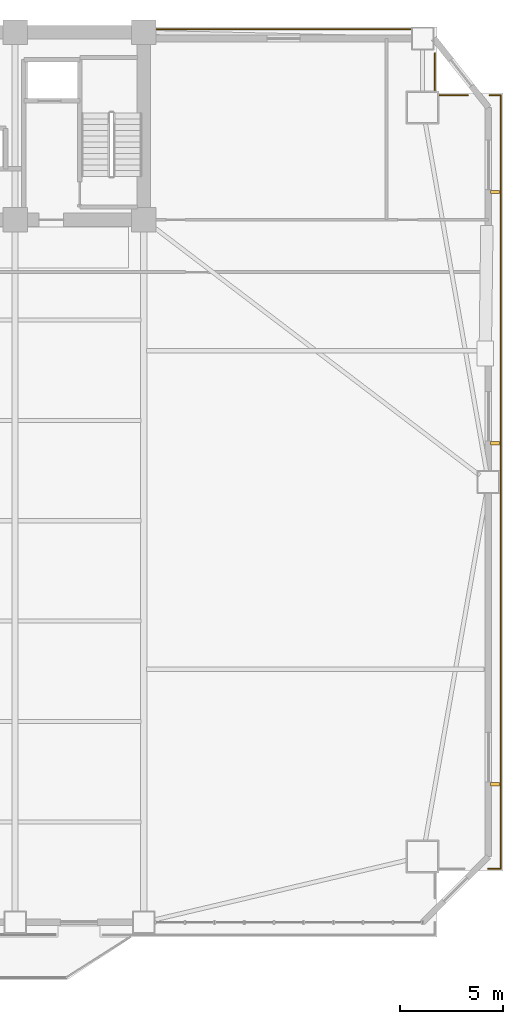
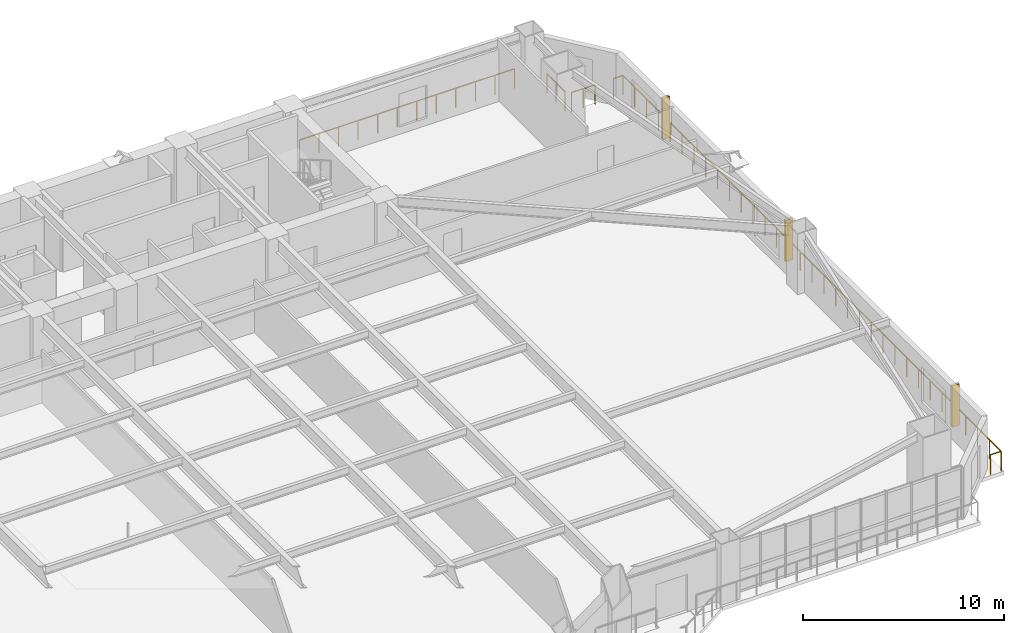
# One storey, part 17 of 17: 6 railings, 3 shading devices.
"""IFC4 building model written with IfcOpenShell, lengths in metres."""

from ifc_helpers import new_model, si_unit, direction, frame, origin, origin_2d, place, context, subcontext, project, spatial, rectangle, extrude, source, transform, mapped, material, type_object, element, save


model = new_model("IFC4")

# Units and contexts
model_context = context("Model", 3, precision=1e-05, world=origin(), true_north=direction((0.0, 1.0)))
body_context = subcontext(model_context, "Body", "Model", "MODEL_VIEW")
ifc_project = project(units=[si_unit("LENGTHUNIT", "METRE"), si_unit("AREAUNIT", "SQUARE_METRE"), si_unit("VOLUMEUNIT", "CUBIC_METRE"), si_unit("PLANEANGLEUNIT", "RADIAN"), si_unit("MASSUNIT", "GRAM", prefix="KILO")], contexts=[model_context])

# Site, building, storey
site_placement = place(None, origin())
site = spatial("IfcSite", under=ifc_project, at=site_placement, CompositionType="ELEMENT")
building_placement = place(site_placement, origin())
building = spatial("IfcBuilding", under=site, at=building_placement, Name="Giltprow Tower", CompositionType="ELEMENT")
storey_placement = place(building_placement, frame((0.0, 0.0, 29.300048828125)))
storey = spatial("IfcBuildingStorey", under=building, at=storey_placement, Name="L07", CompositionType="ELEMENT", Elevation=29.300048828125)

# Railings
ifc_material = material(Name="Anodized bronze", Category="metal")
railing_type = type_object("IfcRailingType", Name="RAIL-BALC-GUARD-1200", PredefinedType="BALUSTRADE", material=ifc_material)
railing_1_placement = place(storey_placement, frame((51.18505859375, 46.699951171875, 0.0)))
element("IfcRailing", 1, at=railing_1_placement, inside=storey, type_object=railing_type, Name="L07 Corner Apron Edge Balustrade 10", PredefinedType="BALUSTRADE", context=body_context, shape_type="SweptSolid", body=[
    extrude(rectangle(XDim=0.048095703125, YDim=0.048095703125, at=origin_2d()), frame((0.0, 0.0, 1.17578125), z_axis=(1.0, 0.0, 0.0), x_axis=(0.0, 1.0, 0.0)), (0.0, 0.0, 1.0), 12.329833984375),
    extrude(rectangle(XDim=0.0419921875, YDim=0.0419921875, at=origin_2d()), origin(), (0.0, 0.0, 1.0), 1.15185546875),
    extrude(rectangle(XDim=0.0419921875, YDim=0.0419921875, at=origin_2d()), frame((1.120849609375, 0.0, 0.0)), (0.0, 0.0, 1.0), 1.15185546875),
    extrude(rectangle(XDim=0.0419921875, YDim=0.0419921875, at=origin_2d()), frame((2.24169921875, 0.0, 0.0)), (0.0, 0.0, 1.0), 1.15185546875),
    extrude(rectangle(XDim=0.0419921875, YDim=0.0419921875, at=origin_2d()), frame((3.36279296875, 0.0, 0.0)), (0.0, 0.0, 1.0), 1.15185546875),
    extrude(rectangle(XDim=0.0419921875, YDim=0.0419921875, at=origin_2d()), frame((4.483642578125, 0.0, 0.0)), (0.0, 0.0, 1.0), 1.15185546875),
    extrude(rectangle(XDim=0.0419921875, YDim=0.0419921875, at=origin_2d()), frame((5.6044921875, 0.0, 0.0)), (0.0, 0.0, 1.0), 1.15185546875),
    extrude(rectangle(XDim=0.0419921875, YDim=0.0419921875, at=origin_2d()), frame((6.725341796875, 0.0, 0.0)), (0.0, 0.0, 1.0), 1.15185546875),
    extrude(rectangle(XDim=0.0419921875, YDim=0.0419921875, at=origin_2d()), frame((7.84619140625, 0.0, 0.0)), (0.0, 0.0, 1.0), 1.15185546875),
    extrude(rectangle(XDim=0.0419921875, YDim=0.0419921875, at=origin_2d()), frame((8.967041015625, 0.0, 0.0)), (0.0, 0.0, 1.0), 1.15185546875),
    extrude(rectangle(XDim=0.0419921875, YDim=0.0419921875, at=origin_2d()), frame((10.088134765625, 0.0, 0.0)), (0.0, 0.0, 1.0), 1.15185546875),
    extrude(rectangle(XDim=0.0419921875, YDim=0.0419921875, at=origin_2d()), frame((11.208984375, 0.0, 0.0)), (0.0, 0.0, 1.0), 1.15185546875),
    extrude(rectangle(XDim=0.0419921875, YDim=0.0419921875, at=origin_2d()), frame((12.329833984375, 0.0, 0.0)), (0.0, 0.0, 1.0), 1.15185546875),
])
railing_2_placement = place(storey_placement, frame((64.699951171875, 45.52587890625, 0.0)))
element("IfcRailing", 2, at=railing_2_placement, inside=storey, type_object=railing_type, Name="L07 Corner Apron Edge Balustrade 11", PredefinedType="BALUSTRADE", context=body_context, shape_type="SweptSolid", body=[
    extrude(rectangle(XDim=0.048095703125, YDim=0.048095703125, at=origin_2d()), frame((0.0, 0.0, 1.17578125), z_axis=(0.0, -1.0, 0.0), x_axis=(1.0, 0.0, 0.0)), (0.0, 0.0, 1.0), 1.790771484375),
    extrude(rectangle(XDim=0.0419921875, YDim=0.0419921875, at=origin_2d()), origin(), (0.0, 0.0, 1.0), 1.15185546875),
    extrude(rectangle(XDim=0.0419921875, YDim=0.0419921875, at=origin_2d()), frame((0.0, -0.8955078125, 0.0)), (0.0, 0.0, 1.0), 1.15185546875),
    extrude(rectangle(XDim=0.0419921875, YDim=0.0419921875, at=origin_2d()), frame((0.0, -1.790771484375, 0.0)), (0.0, 0.0, 1.0), 1.15185546875),
])
railing_3_placement = place(storey_placement, frame((64.93505859375, 43.5, 0.0)))
element("IfcRailing", 3, at=railing_3_placement, inside=storey, type_object=railing_type, Name="L07 Corner Apron Edge Balustrade 12", PredefinedType="BALUSTRADE", context=body_context, shape_type="SweptSolid", body=[
    extrude(rectangle(XDim=0.048095703125, YDim=0.048095703125, at=origin_2d()), frame((0.0, 0.0, 1.17578125), z_axis=(1.0, 0.0, 0.0), x_axis=(0.0, 1.0, 0.0)), (0.0, 0.0, 1.0), 1.367919921875),
    extrude(rectangle(XDim=0.0419921875, YDim=0.0419921875, at=origin_2d()), origin(), (0.0, 0.0, 1.0), 1.15185546875),
    extrude(rectangle(XDim=0.0419921875, YDim=0.0419921875, at=origin_2d()), frame((0.68408203125, 0.0, 0.0)), (0.0, 0.0, 1.0), 1.15185546875),
    extrude(rectangle(XDim=0.0419921875, YDim=0.0419921875, at=origin_2d()), frame((1.367919921875, 0.0, 0.0)), (0.0, 0.0, 1.0), 1.15185546875),
])
railing_4_placement = place(storey_placement, frame((67.347900390625, 43.5, 0.0)))
element("IfcRailing", 4, at=railing_4_placement, inside=storey, type_object=railing_type, Name="L07 Corner Apron Edge Balustrade 13", PredefinedType="BALUSTRADE", context=body_context, shape_type="SweptSolid", body=[
    extrude(rectangle(XDim=0.048095703125, YDim=0.048095703125, at=origin_2d()), frame((0.0, 0.0, 1.17578125), z_axis=(1.0, 0.0, 0.0), x_axis=(0.0, 1.0, 0.0)), (0.0, 0.0, 1.0), 0.552001953125),
    extrude(rectangle(XDim=0.0419921875, YDim=0.0419921875, at=origin_2d()), origin(), (0.0, 0.0, 1.0), 1.15185546875),
    extrude(rectangle(XDim=0.0419921875, YDim=0.0419921875, at=origin_2d()), frame((0.552001953125, 0.0, 0.0)), (0.0, 0.0, 1.0), 1.15185546875),
])
railing_5_placement = place(storey_placement, frame((67.89990234375, 43.5, 0.0)))
element("IfcRailing", 5, at=railing_5_placement, inside=storey, type_object=railing_type, Name="L07 Corner Apron Edge Balustrade 14", PredefinedType="BALUSTRADE", context=body_context, shape_type="SweptSolid", body=[
    extrude(rectangle(XDim=0.048095703125, YDim=0.048095703125, at=origin_2d()), frame((0.0, 0.0, 1.17578125), z_axis=(0.0, -1.0, 0.0), x_axis=(1.0, 0.0, 0.0)), (0.0, 0.0, 1.0), 37.60009765625),
    extrude(rectangle(XDim=0.0419921875, YDim=0.0419921875, at=origin_2d()), origin(), (0.0, 0.0, 1.0), 1.15185546875),
    extrude(rectangle(XDim=0.0419921875, YDim=0.0419921875, at=origin_2d()), frame((0.0, -1.175048828125, 0.0)), (0.0, 0.0, 1.0), 1.15185546875),
    extrude(rectangle(XDim=0.0419921875, YDim=0.0419921875, at=origin_2d()), frame((0.0, -2.35009765625, 0.0)), (0.0, 0.0, 1.0), 1.15185546875),
    extrude(rectangle(XDim=0.0419921875, YDim=0.0419921875, at=origin_2d()), frame((0.0, -3.52490234375, 0.0)), (0.0, 0.0, 1.0), 1.15185546875),
    extrude(rectangle(XDim=0.0419921875, YDim=0.0419921875, at=origin_2d()), frame((0.0, -4.699951171875, 0.0)), (0.0, 0.0, 1.0), 1.15185546875),
    extrude(rectangle(XDim=0.0419921875, YDim=0.0419921875, at=origin_2d()), frame((0.0, -5.875, 0.0)), (0.0, 0.0, 1.0), 1.15185546875),
    extrude(rectangle(XDim=0.0419921875, YDim=0.0419921875, at=origin_2d()), frame((0.0, -7.050048828125, 0.0)), (0.0, 0.0, 1.0), 1.15185546875),
    extrude(rectangle(XDim=0.0419921875, YDim=0.0419921875, at=origin_2d()), frame((0.0, -8.22509765625, 0.0)), (0.0, 0.0, 1.0), 1.15185546875),
    extrude(rectangle(XDim=0.0419921875, YDim=0.0419921875, at=origin_2d()), frame((0.0, -9.39990234375, 0.0)), (0.0, 0.0, 1.0), 1.15185546875),
    extrude(rectangle(XDim=0.0419921875, YDim=0.0419921875, at=origin_2d()), frame((0.0, -10.574951171875, 0.0)), (0.0, 0.0, 1.0), 1.15185546875),
    extrude(rectangle(XDim=0.0419921875, YDim=0.0419921875, at=origin_2d()), frame((0.0, -11.75, 0.0)), (0.0, 0.0, 1.0), 1.15185546875),
    extrude(rectangle(XDim=0.0419921875, YDim=0.0419921875, at=origin_2d()), frame((0.0, -12.925048828125, 0.0)), (0.0, 0.0, 1.0), 1.15185546875),
    extrude(rectangle(XDim=0.0419921875, YDim=0.0419921875, at=origin_2d()), frame((0.0, -14.10009765625, 0.0)), (0.0, 0.0, 1.0), 1.15185546875),
    extrude(rectangle(XDim=0.0419921875, YDim=0.0419921875, at=origin_2d()), frame((0.0, -15.275146484375, 0.0)), (0.0, 0.0, 1.0), 1.15185546875),
    extrude(rectangle(XDim=0.0419921875, YDim=0.0419921875, at=origin_2d()), frame((0.0, -16.449951171875, 0.0)), (0.0, 0.0, 1.0), 1.15185546875),
    extrude(rectangle(XDim=0.0419921875, YDim=0.0419921875, at=origin_2d()), frame((0.0, -17.625, 0.0)), (0.0, 0.0, 1.0), 1.15185546875),
    extrude(rectangle(XDim=0.0419921875, YDim=0.0419921875, at=origin_2d()), frame((0.0, -18.800048828125, 0.0)), (0.0, 0.0, 1.0), 1.15185546875),
    extrude(rectangle(XDim=0.0419921875, YDim=0.0419921875, at=origin_2d()), frame((0.0, -19.97509765625, 0.0)), (0.0, 0.0, 1.0), 1.15185546875),
    extrude(rectangle(XDim=0.0419921875, YDim=0.0419921875, at=origin_2d()), frame((0.0, -21.150146484375, 0.0)), (0.0, 0.0, 1.0), 1.15185546875),
    extrude(rectangle(XDim=0.0419921875, YDim=0.0419921875, at=origin_2d()), frame((0.0, -22.324951171875, 0.0)), (0.0, 0.0, 1.0), 1.15185546875),
    extrude(rectangle(XDim=0.0419921875, YDim=0.0419921875, at=origin_2d()), frame((0.0, -23.5, 0.0)), (0.0, 0.0, 1.0), 1.15185546875),
    extrude(rectangle(XDim=0.0419921875, YDim=0.0419921875, at=origin_2d()), frame((0.0, -24.675048828125, 0.0)), (0.0, 0.0, 1.0), 1.15185546875),
    extrude(rectangle(XDim=0.0419921875, YDim=0.0419921875, at=origin_2d()), frame((0.0, -25.85009765625, 0.0)), (0.0, 0.0, 1.0), 1.15185546875),
    extrude(rectangle(XDim=0.0419921875, YDim=0.0419921875, at=origin_2d()), frame((0.0, -27.025146484375, 0.0)), (0.0, 0.0, 1.0), 1.15185546875),
    extrude(rectangle(XDim=0.0419921875, YDim=0.0419921875, at=origin_2d()), frame((0.0, -28.2001953125, 0.0)), (0.0, 0.0, 1.0), 1.15185546875),
    extrude(rectangle(XDim=0.0419921875, YDim=0.0419921875, at=origin_2d()), frame((0.0, -29.375, 0.0)), (0.0, 0.0, 1.0), 1.15185546875),
    extrude(rectangle(XDim=0.0419921875, YDim=0.0419921875, at=origin_2d()), frame((0.0, -30.550048828125, 0.0)), (0.0, 0.0, 1.0), 1.15185546875),
    extrude(rectangle(XDim=0.0419921875, YDim=0.0419921875, at=origin_2d()), frame((0.0, -31.72509765625, 0.0)), (0.0, 0.0, 1.0), 1.15185546875),
    extrude(rectangle(XDim=0.0419921875, YDim=0.0419921875, at=origin_2d()), frame((0.0, -32.900146484375, 0.0)), (0.0, 0.0, 1.0), 1.15185546875),
    extrude(rectangle(XDim=0.0419921875, YDim=0.0419921875, at=origin_2d()), frame((0.0, -34.0751953125, 0.0)), (0.0, 0.0, 1.0), 1.15185546875),
    extrude(rectangle(XDim=0.0419921875, YDim=0.0419921875, at=origin_2d()), frame((0.0, -35.25, 0.0)), (0.0, 0.0, 1.0), 1.15185546875),
    extrude(rectangle(XDim=0.0419921875, YDim=0.0419921875, at=origin_2d()), frame((0.0, -36.425048828125, 0.0)), (0.0, 0.0, 1.0), 1.15185546875),
    extrude(rectangle(XDim=0.0419921875, YDim=0.0419921875, at=origin_2d()), frame((0.0, -37.60009765625, 0.0)), (0.0, 0.0, 1.0), 1.15185546875),
])
railing_6_placement = place(storey_placement, frame((67.89990234375, 5.89990234375, 0.0)))
element("IfcRailing", 6, at=railing_6_placement, inside=storey, type_object=railing_type, Name="L07 Corner Apron Edge Balustrade 15", PredefinedType="BALUSTRADE", context=body_context, shape_type="SweptSolid", body=[
    extrude(rectangle(XDim=0.048095703125, YDim=0.048095703125, at=origin_2d()), frame((0.0, 0.0, 1.17578125), z_axis=(-1.0, 0.0, 0.0), x_axis=(0.0, -1.0, 0.0)), (0.0, 0.0, 1.0), 0.619873046875),
    extrude(rectangle(XDim=0.0419921875, YDim=0.0419921875, at=origin_2d()), origin(), (0.0, 0.0, 1.0), 1.15185546875),
    extrude(rectangle(XDim=0.0419921875, YDim=0.0419921875, at=origin_2d()), frame((-0.619873046875, 0.0, 0.0)), (0.0, 0.0, 1.0), 1.15185546875),
])

# Shading devices
shading_device_type = type_object("IfcShadingDeviceType", Name="SHD-FIN-420", PredefinedType="USERDEFINED", material=ifc_material)
shared_shape = source(origin(), body_context, "Body", "SweptSolid", [
    extrude(rectangle(XDim=0.419921875, YDim=0.159912109375, at=origin_2d()), origin(), (0.0, 0.0, 1.0), 2.5),
])
for number, where, z_axis, x_axis, name in (
    (7, (67.6201171875, 10.009033203125, 0.349853515625), (0.0, 0.0, 1.0), (1.0, 0.0, 0.0), "L07 E Bronze Vertical Fin 1-1"),
    (8, (67.6201171875, 26.575927734375, 0.349853515625), (0.0, 0.0, 1.0), (1.0, 0.0, 0.0), "L07 E Bronze Vertical Fin 2-1"),
    (9, (67.6201171875, 38.791015625, 0.349853515625), (0.0, 0.0, 1.0), (1.0, 0.0, 0.0), "L07 E Bronze Vertical Fin 2-2"),
):
    element("IfcShadingDevice", number, at=place(storey_placement, frame(where, z_axis=z_axis, x_axis=x_axis)), inside=storey, type_object=shading_device_type, Name=name, ObjectType="FIN", PredefinedType="USERDEFINED", context=body_context, shape_type="MappedRepresentation", body=[
        mapped(shared_shape, transform((0.0, 0.0, 0.0), x_axis=(1.0, 0.0, 0.0), y_axis=(0.0, 1.0, 0.0), z_axis=(0.0, 0.0, 1.0), scale=1.0)),
    ])

save(model, "model.ifc")
